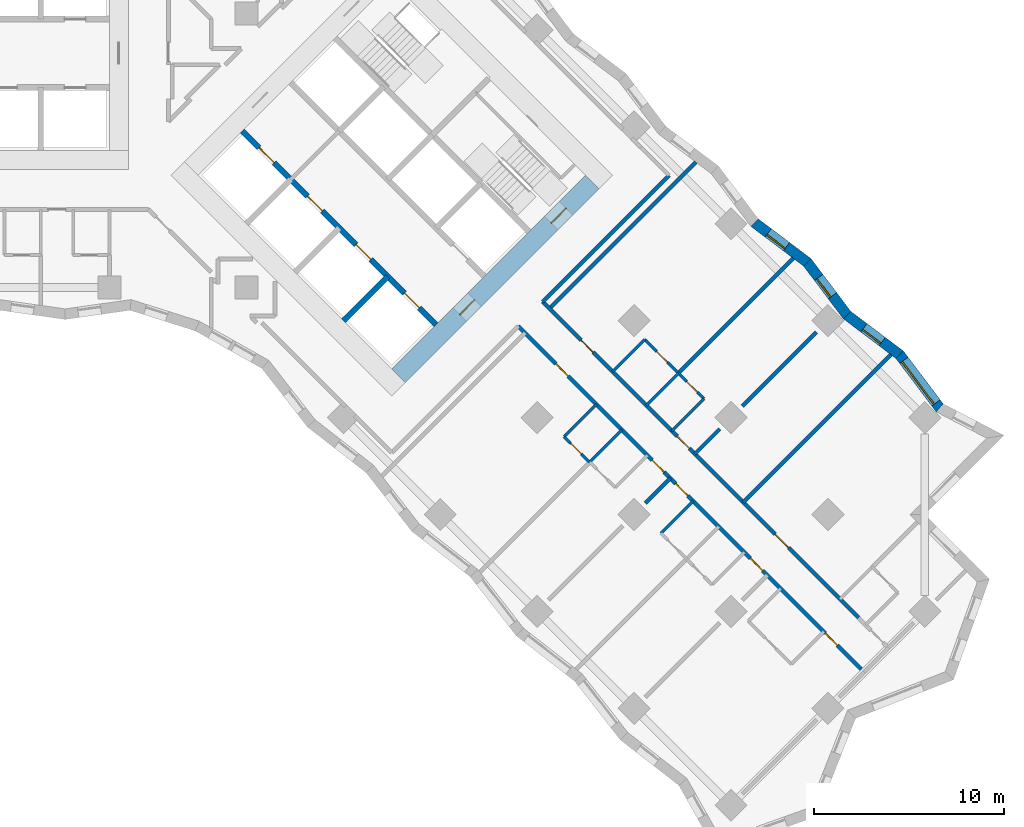
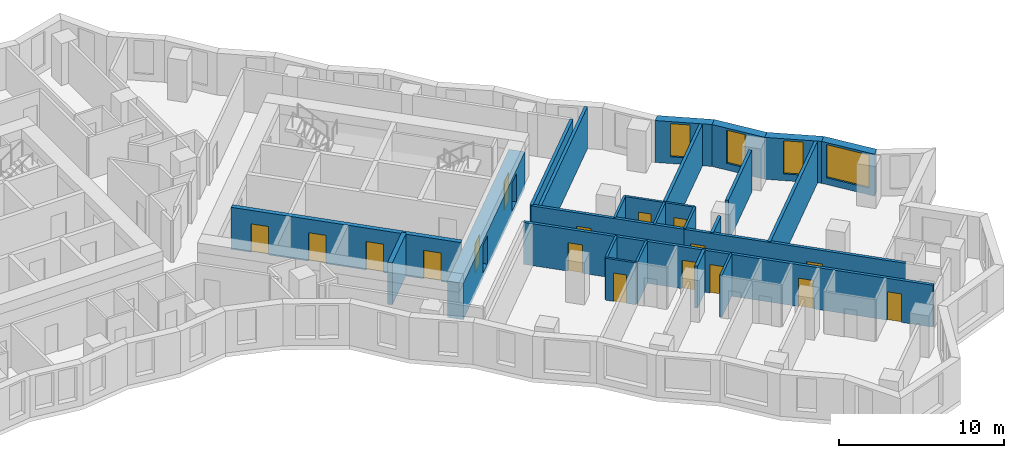
# One storey, part 8 of 12: 25 walls, 17 doors, 4 windows, 21 openings.
"""IFC4 building model written with IfcOpenShell, lengths in metres."""

from ifc_helpers import new_model, si_unit, direction, frame, frame_2d, origin, place, context, subcontext, project, spatial, polyline, rectangle, outline, extrude, material, layer, layer_set, type_object, element, fill, save


model = new_model("IFC4")

# Units and contexts
model_context = context("Model", 3, precision=1e-05, world=origin(), true_north=direction((0.0, 1.0)))
body_context = subcontext(model_context, "Body", "Model", "MODEL_VIEW")
ifc_project = project(units=[si_unit("LENGTHUNIT", "METRE"), si_unit("AREAUNIT", "SQUARE_METRE"), si_unit("VOLUMEUNIT", "CUBIC_METRE"), si_unit("PLANEANGLEUNIT", "RADIAN"), si_unit("MASSUNIT", "GRAM", prefix="KILO")], contexts=[model_context])

# Site, building, storey
site_placement = place(None, origin())
site = spatial("IfcSite", under=ifc_project, at=site_placement, CompositionType="ELEMENT")
building_placement = place(site_placement, origin())
building = spatial("IfcBuilding", under=site, at=building_placement, Name="Windrow Commons", CompositionType="ELEMENT")
storey_placement = place(building_placement, frame((0.0, 0.0, 47.4)))
storey = spatial("IfcBuildingStorey", under=building, at=storey_placement, Name="L12", CompositionType="ELEMENT", Elevation=47.4)

# Wall, opening, window
ifc_material_1 = material(Name="Brick masonry, red clay brick", Category="masonry")
ifc_layer_1 = layer(ifc_material_1, 0.55)
ifc_layer_set_1 = layer_set([ifc_layer_1], Name="Brick facade wall 550")
wall_type_1 = type_object("IfcWallType", Name="Brick facade wall 550", PredefinedType="SOLIDWALL", material=ifc_layer_set_1)
wall_1_placement = place(storey_placement, frame((115.6219, 36.8779, 0.0), z_axis=(0.0, 0.0, 1.0), x_axis=(-0.6019733381, 0.7985161866, 0.0)))
wall_1 = element("IfcWall", 1, at=wall_1_placement, inside=storey, type_object=wall_type_1, Name="Brick facade wall L12 8", PredefinedType="SOLIDWALL", context=body_context, shape_type="SweptSolid", body=[
    extrude(outline(polyline([(0.0622, -0.275), (3.5299, -0.275), (3.4527, 0.275), (-0.0622, 0.275), (0.0622, -0.275)])), origin(), (0.0, 0.0, 1.0), 3.1),
])
opening_1_placement = place(wall_1_placement, frame((0.3264, 0.0, 0.5)))
opening_1 = element("IfcOpeningElement", 2, at=opening_1_placement, cuts=wall_1, Name="Opening W1T", PredefinedType="OPENING", context=body_context, shape_type="SweptSolid", body=[
    extrude(rectangle(XDim=2.8, YDim=2.45, at=frame_2d((1.4, 1.225))), frame((0.0, 0.285, 0.0), z_axis=(0.0, -1.0, 0.0), x_axis=(1.0, 0.0, 0.0)), (0.0, 0.0, 1.0), 0.57),
])
ifc_material_2 = material(Name="Clear float glass in anodised aluminium frame", Category="aluminium")
window_type_1 = type_object("IfcWindowType", Name="Window W1T bedroom 2800x2450", PartitioningType="SINGLE_PANEL", PredefinedType="WINDOW", material=ifc_material_2)
window_1_placement = place(opening_1_placement, origin())
window_1 = element("IfcWindow", 3, at=window_1_placement, inside=storey, type_object=window_type_1, Name="Window L12 8.1", OverallHeight=2.45, OverallWidth=2.8, PartitioningType="SINGLE_PANEL", PredefinedType="WINDOW", context=body_context, shape_type="SweptSolid", body=[
    extrude(rectangle(XDim=2.8, YDim=2.45, at=frame_2d((1.4, 1.225))), frame((0.0, 0.155, 0.0), z_axis=(0.0, -1.0, 0.0), x_axis=(1.0, 0.0, 0.0)), (0.0, 0.0, 1.0), 0.06),
])
fill(opening_1, window_1)

wall_2_placement = place(storey_placement, frame((113.5202, 39.6658, 0.0), z_axis=(0.0, 0.0, 1.0), x_axis=(-0.7985233882, 0.601963785, 0.0)))
wall_2 = element("IfcWall", 4, at=wall_2_placement, inside=storey, type_object=wall_type_1, Name="Brick facade wall L12 9", PredefinedType="SOLIDWALL", context=body_context, shape_type="SweptSolid", body=[
    extrude(outline(polyline([(-0.0386, -0.275), (3.4291, -0.275), (3.5063, 0.275), (0.0386, 0.275), (-0.0386, -0.275)])), origin(), (0.0, 0.0, 1.0), 3.1),
])
opening_2_placement = place(wall_2_placement, frame((1.1532, 0.0, 0.5)))
opening_2 = element("IfcOpeningElement", 5, at=opening_2_placement, cuts=wall_2, Name="Opening W7D", PredefinedType="OPENING", context=body_context, shape_type="SweptSolid", body=[
    extrude(rectangle(XDim=1.2, YDim=2.45, at=frame_2d((0.6, 1.225))), frame((0.0, 0.285, 0.0), z_axis=(0.0, -1.0, 0.0), x_axis=(1.0, 0.0, 0.0)), (0.0, 0.0, 1.0), 0.57),
])
ifc_material_3 = material(Name="Clear float glass in anodised aluminium frame", Category="aluminium")
window_type_2 = type_object("IfcWindowType", Name="Window W7 notch 1200x2450", PartitioningType="SINGLE_PANEL", PredefinedType="WINDOW", material=ifc_material_3)
window_2_placement = place(opening_2_placement, origin())
window_2 = element("IfcWindow", 6, at=window_2_placement, inside=storey, type_object=window_type_2, Name="Window L12 9.1", OverallHeight=2.45, OverallWidth=1.2, PartitioningType="SINGLE_PANEL", PredefinedType="WINDOW", context=body_context, shape_type="SweptSolid", body=[
    extrude(rectangle(XDim=1.2, YDim=2.45, at=frame_2d((0.6, 1.225))), frame((0.0, 0.155, 0.0), z_axis=(0.0, -1.0, 0.0), x_axis=(1.0, 0.0, 0.0)), (0.0, 0.0, 1.0), 0.06),
])
fill(opening_2, window_2)

wall_3_placement = place(storey_placement, frame((110.7512, 41.7532, 0.0), z_axis=(0.0, 0.0, 1.0), x_axis=(-0.6019683111, 0.7985199762, 0.0)))
wall_3 = element("IfcWall", 7, at=wall_3_placement, inside=storey, type_object=wall_type_1, Name="Brick facade wall L12 10", PredefinedType="SOLIDWALL", context=body_context, shape_type="SweptSolid", body=[
    extrude(outline(polyline([(0.0386, -0.275), (3.5063, -0.275), (3.4291, 0.275), (-0.0386, 0.275), (0.0386, -0.275)])), origin(), (0.0, 0.0, 1.0), 3.1),
])
opening_3_placement = place(wall_3_placement, frame((1.2659, 0.0, 0.5)))
opening_3 = element("IfcOpeningElement", 8, at=opening_3_placement, cuts=wall_3, Name="Opening W7D", PredefinedType="OPENING", context=body_context, shape_type="SweptSolid", body=[
    extrude(rectangle(XDim=1.2, YDim=2.45, at=frame_2d((0.6, 1.225))), frame((0.0, 0.285, 0.0), z_axis=(0.0, -1.0, 0.0), x_axis=(1.0, 0.0, 0.0)), (0.0, 0.0, 1.0), 0.57),
])
window_3_placement = place(opening_3_placement, origin())
window_3 = element("IfcWindow", 9, at=window_3_placement, inside=storey, type_object=window_type_2, Name="Window L12 10.1", OverallHeight=2.45, OverallWidth=1.2, PartitioningType="SINGLE_PANEL", PredefinedType="WINDOW", context=body_context, shape_type="SweptSolid", body=[
    extrude(rectangle(XDim=1.2, YDim=2.45, at=frame_2d((0.6, 1.225))), frame((0.0, 0.155, 0.0), z_axis=(0.0, -1.0, 0.0), x_axis=(1.0, 0.0, 0.0)), (0.0, 0.0, 1.0), 0.06),
])
fill(opening_3, window_3)

wall_4_placement = place(storey_placement, frame((108.6637, 44.5223, 0.0), z_axis=(0.0, 0.0, 1.0), x_axis=(-0.7985338376, 0.6019499233, 0.0)))
wall_4 = element("IfcWall", 10, at=wall_4_placement, inside=storey, type_object=wall_type_1, Name="Brick facade wall L12 11", PredefinedType="SOLIDWALL", context=body_context, shape_type="SweptSolid", body=[
    extrude(outline(polyline([(-0.0386, -0.275), (3.4291, -0.275), (3.5063, 0.275), (0.0386, 0.275), (-0.0386, -0.275)])), origin(), (0.0, 0.0, 1.0), 3.1),
])
opening_4_placement = place(wall_4_placement, frame((1.369, 0.0, 0.5)))
opening_4 = element("IfcOpeningElement", 11, at=opening_4_placement, cuts=wall_4, Name="Opening W7D", PredefinedType="OPENING", context=body_context, shape_type="SweptSolid", body=[
    extrude(rectangle(XDim=1.2, YDim=2.45, at=frame_2d((0.6, 1.225))), frame((0.0, 0.285, 0.0), z_axis=(0.0, -1.0, 0.0), x_axis=(1.0, 0.0, 0.0)), (0.0, 0.0, 1.0), 0.57),
])
window_4_placement = place(opening_4_placement, origin())
window_4 = element("IfcWindow", 12, at=window_4_placement, inside=storey, type_object=window_type_2, Name="Window L12 11.1", OverallHeight=2.45, OverallWidth=1.2, PartitioningType="SINGLE_PANEL", PredefinedType="WINDOW", context=body_context, shape_type="SweptSolid", body=[
    extrude(rectangle(XDim=1.2, YDim=2.45, at=frame_2d((0.6, 1.225))), frame((0.0, 0.155, 0.0), z_axis=(0.0, -1.0, 0.0), x_axis=(1.0, 0.0, 0.0)), (0.0, 0.0, 1.0), 0.06),
])
fill(opening_4, window_4)

# Wall, openings, doors
ifc_material_4 = material(Name="Blockwork partition", Category="masonry")
ifc_layer_2 = layer(ifc_material_4, 0.2)
ifc_layer_set_2 = layer_set([ifc_layer_2], Name="IW-CORRIDOR-200")
wall_type_2 = type_object("IfcWallType", Name="IW-CORRIDOR-200", PredefinedType="PARTITIONING", material=ifc_layer_set_2)
wall_5_placement = place(storey_placement, frame((93.4806, 41.1666, 0.0), z_axis=(0.0, 0.0, 1.0), x_axis=(0.7071067812, -0.7071067812, 0.0)))
wall_5 = element("IfcWall", 13, at=wall_5_placement, inside=storey, type_object=wall_type_2, Name="W-L12-W000", PredefinedType="PARTITIONING", context=body_context, shape_type="SweptSolid", body=[
    extrude(rectangle(XDim=25.6991, YDim=0.2, at=frame_2d((12.8496, 0.0))), origin(), (0.0, 0.0, 1.0), 3.1),
])
opening_5_placement = place(wall_5_placement, frame((2.8001, 0.0, 0.0)))
opening_5 = element("IfcOpeningElement", 14, at=opening_5_placement, cuts=wall_5, Name="Opening D109F", PredefinedType="OPENING", context=body_context, shape_type="SweptSolid", body=[
    extrude(rectangle(XDim=0.9, YDim=2.1, at=frame_2d((0.45, 1.05))), frame((0.0, 0.11, 0.0), z_axis=(0.0, -1.0, 0.0), x_axis=(1.0, 0.0, 0.0)), (0.0, 0.0, 1.0), 0.22),
])
opening_6_placement = place(wall_5_placement, frame((9.948, 0.0, 0.0)))
opening_6 = element("IfcOpeningElement", 15, at=opening_6_placement, cuts=wall_5, Name="Opening D109S", PredefinedType="OPENING", context=body_context, shape_type="SweptSolid", body=[
    extrude(rectangle(XDim=0.9, YDim=2.1, at=frame_2d((0.45, 1.05))), frame((0.0, 0.11, 0.0), z_axis=(0.0, -1.0, 0.0), x_axis=(1.0, 0.0, 0.0)), (0.0, 0.0, 1.0), 0.22),
])
opening_7_placement = place(wall_5_placement, frame((11.6996, 0.0, 0.0)))
opening_7 = element("IfcOpeningElement", 16, at=opening_7_placement, cuts=wall_5, Name="Opening D109S", PredefinedType="OPENING", context=body_context, shape_type="SweptSolid", body=[
    extrude(rectangle(XDim=0.9, YDim=2.1, at=frame_2d((0.45, 1.05))), frame((0.0, 0.11, 0.0), z_axis=(0.0, -1.0, 0.0), x_axis=(1.0, 0.0, 0.0)), (0.0, 0.0, 1.0), 0.22),
])
opening_8_placement = place(wall_5_placement, frame((17.2496, 0.0, 0.0)))
opening_8 = element("IfcOpeningElement", 17, at=opening_8_placement, cuts=wall_5, Name="Opening D109S", PredefinedType="OPENING", context=body_context, shape_type="SweptSolid", body=[
    extrude(rectangle(XDim=0.9, YDim=2.1, at=frame_2d((0.45, 1.05))), frame((0.0, 0.11, 0.0), z_axis=(0.0, -1.0, 0.0), x_axis=(1.0, 0.0, 0.0)), (0.0, 0.0, 1.0), 0.22),
])
opening_9_placement = place(wall_5_placement, frame((22.8196, 0.0, 0.0)))
opening_9 = element("IfcOpeningElement", 18, at=opening_9_placement, cuts=wall_5, Name="Opening D109F", PredefinedType="OPENING", context=body_context, shape_type="SweptSolid", body=[
    extrude(rectangle(XDim=0.9, YDim=2.1, at=frame_2d((0.45, 1.05))), frame((0.0, 0.11, 0.0), z_axis=(0.0, -1.0, 0.0), x_axis=(1.0, 0.0, 0.0)), (0.0, 0.0, 1.0), 0.22),
])
ifc_material_5 = material(Name="Timber door leaf", Category="wood")
door_type_1 = type_object("IfcDoorType", Name="DT-BEDROOM-900", OperationType="SINGLE_SWING_LEFT", PredefinedType="DOOR", material=ifc_material_5)
door_1_placement = place(opening_5_placement, origin())
door_1 = element("IfcDoor", 19, at=door_1_placement, inside=storey, type_object=door_type_1, Name="D-L12-D038", OperationType="SINGLE_SWING_LEFT", OverallHeight=2.1, OverallWidth=0.9, PredefinedType="DOOR", context=body_context, shape_type="SweptSolid", body=[
    extrude(rectangle(XDim=0.9, YDim=2.1, at=frame_2d((0.45, 1.05))), frame((0.0, 0.025, 0.0), z_axis=(0.0, -1.0, 0.0), x_axis=(1.0, 0.0, 0.0)), (0.0, 0.0, 1.0), 0.05),
])
fill(opening_5, door_1)
door_2_placement = place(opening_6_placement, origin())
door_2 = element("IfcDoor", 20, at=door_2_placement, inside=storey, type_object=door_type_1, Name="D-L12-D040", OperationType="SINGLE_SWING_LEFT", OverallHeight=2.1, OverallWidth=0.9, PredefinedType="DOOR", context=body_context, shape_type="SweptSolid", body=[
    extrude(rectangle(XDim=0.9, YDim=2.1, at=frame_2d((0.45, 1.05))), frame((0.0, 0.025, 0.0), z_axis=(0.0, -1.0, 0.0), x_axis=(1.0, 0.0, 0.0)), (0.0, 0.0, 1.0), 0.05),
])
fill(opening_6, door_2)
door_3_placement = place(opening_7_placement, origin())
door_3 = element("IfcDoor", 21, at=door_3_placement, inside=storey, type_object=door_type_1, Name="D-L12-D042", OperationType="SINGLE_SWING_RIGHT", OverallHeight=2.1, OverallWidth=0.9, PredefinedType="DOOR", context=body_context, shape_type="SweptSolid", body=[
    extrude(rectangle(XDim=0.9, YDim=2.1, at=frame_2d((0.45, 1.05))), frame((0.0, 0.025, 0.0), z_axis=(0.0, -1.0, 0.0), x_axis=(1.0, 0.0, 0.0)), (0.0, 0.0, 1.0), 0.05),
])
fill(opening_7, door_3)
door_4_placement = place(opening_8_placement, origin())
door_4 = element("IfcDoor", 22, at=door_4_placement, inside=storey, type_object=door_type_1, Name="D-L12-D044", OperationType="SINGLE_SWING_LEFT", OverallHeight=2.1, OverallWidth=0.9, PredefinedType="DOOR", context=body_context, shape_type="SweptSolid", body=[
    extrude(rectangle(XDim=0.9, YDim=2.1, at=frame_2d((0.45, 1.05))), frame((0.0, 0.025, 0.0), z_axis=(0.0, -1.0, 0.0), x_axis=(1.0, 0.0, 0.0)), (0.0, 0.0, 1.0), 0.05),
])
fill(opening_8, door_4)
door_5_placement = place(opening_9_placement, origin())
door_5 = element("IfcDoor", 23, at=door_5_placement, inside=storey, type_object=door_type_1, Name="D-L12-D046", OperationType="SINGLE_SWING_RIGHT", OverallHeight=2.1, OverallWidth=0.9, PredefinedType="DOOR", context=body_context, shape_type="SweptSolid", body=[
    extrude(rectangle(XDim=0.9, YDim=2.1, at=frame_2d((0.45, 1.05))), frame((0.0, 0.025, 0.0), z_axis=(0.0, -1.0, 0.0), x_axis=(1.0, 0.0, 0.0)), (0.0, 0.0, 1.0), 0.05),
])
fill(opening_9, door_5)

wall_6_placement = place(storey_placement, frame((111.3515, 25.8555, 0.0), z_axis=(0.0, 0.0, 1.0), x_axis=(-0.7070418597, 0.7071716967, 0.0)))
wall_6 = element("IfcWall", 24, at=wall_6_placement, inside=storey, type_object=wall_type_2, Name="W-L12-W005", PredefinedType="PARTITIONING", context=body_context, shape_type="SweptSolid", body=[
    extrude(rectangle(XDim=13.8635, YDim=0.2, at=frame_2d((6.9318, 0.0))), origin(), (0.0, 0.0, 1.0), 3.1),
])
opening_10_placement = place(wall_6_placement, frame((12.5636, 0.0, 0.0)))
opening_10 = element("IfcOpeningElement", 25, at=opening_10_placement, cuts=wall_6, Name="Opening D109S", PredefinedType="OPENING", context=body_context, shape_type="SweptSolid", body=[
    extrude(rectangle(XDim=0.9, YDim=2.1, at=frame_2d((0.45, 1.05))), frame((0.0, 0.11, 0.0), z_axis=(0.0, -1.0, 0.0), x_axis=(1.0, 0.0, 0.0)), (0.0, 0.0, 1.0), 0.22),
])
opening_11_placement = place(wall_6_placement, frame((5.1899, 0.0, 0.0)))
opening_11 = element("IfcOpeningElement", 26, at=opening_11_placement, cuts=wall_6, Name="Opening D310F", PredefinedType="OPENING", context=body_context, shape_type="SweptSolid", body=[
    extrude(rectangle(XDim=1.0, YDim=2.1, at=frame_2d((0.5, 1.05))), frame((0.0, 0.11, 0.0), z_axis=(0.0, -1.0, 0.0), x_axis=(1.0, 0.0, 0.0)), (0.0, 0.0, 1.0), 0.22),
])
ifc_material_6 = material(Name="Timber door leaf", Category="wood")
door_type_2 = type_object("IfcDoorType", Name="DT-AMENITY-1000", OperationType="SINGLE_SWING_LEFT", PredefinedType="DOOR", material=ifc_material_6)
door_6_placement = place(opening_11_placement, origin())
door_6 = element("IfcDoor", 27, at=door_6_placement, inside=storey, type_object=door_type_2, Name="D-L12-D037", OperationType="SINGLE_SWING_RIGHT", OverallHeight=2.1, OverallWidth=1.0, PredefinedType="DOOR", context=body_context, shape_type="SweptSolid", body=[
    extrude(rectangle(XDim=1.0, YDim=2.1, at=frame_2d((0.5, 1.05))), frame((0.0, 0.025, 0.0), z_axis=(0.0, -1.0, 0.0), x_axis=(1.0, 0.0, 0.0)), (0.0, 0.0, 1.0), 0.05),
])
fill(opening_11, door_6)
door_7_placement = place(opening_10_placement, origin())
door_7 = element("IfcDoor", 28, at=door_7_placement, inside=storey, type_object=door_type_1, Name="D-L12-D035", OperationType="SINGLE_SWING_RIGHT", OverallHeight=2.1, OverallWidth=0.9, PredefinedType="DOOR", context=body_context, shape_type="SweptSolid", body=[
    extrude(rectangle(XDim=0.9, YDim=2.1, at=frame_2d((0.45, 1.05))), frame((0.0, 0.025, 0.0), z_axis=(0.0, -1.0, 0.0), x_axis=(1.0, 0.0, 0.0)), (0.0, 0.0, 1.0), 0.05),
])
fill(opening_10, door_7)

# Wall, opening, door
wall_7_placement = place(storey_placement, frame((94.7615, 42.4455, 0.0), z_axis=(0.0, 0.0, 1.0), x_axis=(0.7071067812, -0.7071067812, 0.0)))
wall_7 = element("IfcWall", 29, at=wall_7_placement, inside=storey, type_object=wall_type_2, Name="W-L12-W012", PredefinedType="PARTITIONING", context=body_context, shape_type="SweptSolid", body=[
    extrude(rectangle(XDim=9.5969, YDim=0.2, at=frame_2d((4.7984, 0.0))), origin(), (0.0, 0.0, 1.0), 3.1),
])
opening_12_placement = place(wall_7_placement, frame((2.8511, 0.0, 0.0)))
opening_12 = element("IfcOpeningElement", 30, at=opening_12_placement, cuts=wall_7, Name="Opening D109F", PredefinedType="OPENING", context=body_context, shape_type="SweptSolid", body=[
    extrude(rectangle(XDim=0.9, YDim=2.1, at=frame_2d((0.45, 1.05))), frame((0.0, 0.11, 0.0), z_axis=(0.0, -1.0, 0.0), x_axis=(1.0, 0.0, 0.0)), (0.0, 0.0, 1.0), 0.22),
])
door_8_placement = place(opening_12_placement, origin())
door_8 = element("IfcDoor", 31, at=door_8_placement, inside=storey, type_object=door_type_1, Name="D-L12-D033", OperationType="SINGLE_SWING_RIGHT", OverallHeight=2.1, OverallWidth=0.9, PredefinedType="DOOR", context=body_context, shape_type="SweptSolid", body=[
    extrude(rectangle(XDim=0.9, YDim=2.1, at=frame_2d((0.45, 1.05))), frame((0.0, 0.025, 0.0), z_axis=(0.0, -1.0, 0.0), x_axis=(1.0, 0.0, 0.0)), (0.0, 0.0, 1.0), 0.05),
])
fill(opening_12, door_8)

# Wall
wall_8_placement = place(storey_placement, frame((94.7569, 42.4451, 0.0), z_axis=(0.0, 0.0, 1.0), x_axis=(0.7071067812, 0.7071067812, 0.0)))
element("IfcWall", 32, at=wall_8_placement, inside=storey, type_object=wall_type_2, Name="W-L12-W014", PredefinedType="PARTITIONING", context=body_context, shape_type="SweptSolid", body=[
    extrude(rectangle(XDim=9.3989, YDim=0.2, at=frame_2d((4.6994, 0.0))), origin(), (0.0, 0.0, 1.0), 3.1),
])

# Wall, openings, doors
ifc_material_7 = material(Name="Blockwork partition", Category="masonry")
ifc_layer_3 = layer(ifc_material_7, 0.15)
ifc_layer_set_3 = layer_set([ifc_layer_3], Name="IW-ENSUITE-150")
wall_type_3 = type_object("IfcWallType", Name="IW-ENSUITE-150", PredefinedType="PARTITIONING", material=ifc_layer_set_3)
wall_9_placement = place(storey_placement, frame((100.1265, 40.4605, 0.0), z_axis=(0.0, 0.0, 1.0), x_axis=(0.7071067812, -0.7071067812, 0.0)))
wall_9 = element("IfcWall", 33, at=wall_9_placement, inside=storey, type_object=wall_type_3, Name="W-L12-W045", PredefinedType="PARTITIONING", context=body_context, shape_type="SweptSolid", body=[
    extrude(rectangle(XDim=4.401, YDim=0.15, at=frame_2d((2.2005, 0.0))), origin(), (0.0, 0.0, 1.0), 3.1),
])
opening_13_placement = place(wall_9_placement, frame((0.883, 0.0, 0.0)))
opening_13 = element("IfcOpeningElement", 34, at=opening_13_placement, cuts=wall_9, Name="Opening D208N", PredefinedType="OPENING", context=body_context, shape_type="SweptSolid", body=[
    extrude(rectangle(XDim=0.8, YDim=2.1, at=frame_2d((0.4, 1.05))), frame((0.0, 0.085, 0.0), z_axis=(0.0, -1.0, 0.0), x_axis=(1.0, 0.0, 0.0)), (0.0, 0.0, 1.0), 0.17),
])
opening_14_placement = place(wall_9_placement, frame((3.1078, 0.0, 0.0)))
opening_14 = element("IfcOpeningElement", 35, at=opening_14_placement, cuts=wall_9, Name="Opening D208N", PredefinedType="OPENING", context=body_context, shape_type="SweptSolid", body=[
    extrude(rectangle(XDim=0.8, YDim=2.1, at=frame_2d((0.4, 1.05))), frame((0.0, 0.085, 0.0), z_axis=(0.0, -1.0, 0.0), x_axis=(1.0, 0.0, 0.0)), (0.0, 0.0, 1.0), 0.17),
])
ifc_material_8 = material(Name="Timber door leaf", Category="wood")
door_type_3 = type_object("IfcDoorType", Name="DT-ENSUITE-800", OperationType="SINGLE_SWING_LEFT", PredefinedType="DOOR", material=ifc_material_8)
door_9_placement = place(opening_13_placement, origin())
door_9 = element("IfcDoor", 36, at=door_9_placement, inside=storey, type_object=door_type_3, Name="D-L12-D034", OperationType="SINGLE_SWING_RIGHT", OverallHeight=2.1, OverallWidth=0.8, PredefinedType="DOOR", context=body_context, shape_type="SweptSolid", body=[
    extrude(rectangle(XDim=0.8, YDim=2.1, at=frame_2d((0.4, 1.05))), frame((0.0, 0.025, 0.0), z_axis=(0.0, -1.0, 0.0), x_axis=(1.0, 0.0, 0.0)), (0.0, 0.0, 1.0), 0.05),
])
fill(opening_13, door_9)
door_10_placement = place(opening_14_placement, origin())
door_10 = element("IfcDoor", 37, at=door_10_placement, inside=storey, type_object=door_type_3, Name="D-L12-D036", OperationType="SINGLE_SWING_RIGHT", OverallHeight=2.1, OverallWidth=0.8, PredefinedType="DOOR", context=body_context, shape_type="SweptSolid", body=[
    extrude(rectangle(XDim=0.8, YDim=2.1, at=frame_2d((0.4, 1.05))), frame((0.0, 0.025, 0.0), z_axis=(0.0, -1.0, 0.0), x_axis=(1.0, 0.0, 0.0)), (0.0, 0.0, 1.0), 0.05),
])
fill(opening_14, door_10)

# Walls
wall_10_placement = place(storey_placement, frame((100.9773, 30.2807, 0.0), z_axis=(0.0, 0.0, 1.0), x_axis=(0.7071067812, 0.7071067812, 0.0)))
element("IfcWall", 38, at=wall_10_placement, inside=storey, type_object=wall_type_3, Name="W-L12-W065", PredefinedType="PARTITIONING", context=body_context, shape_type="SweptSolid", body=[
    extrude(rectangle(XDim=2.4013, YDim=0.15, at=frame_2d((1.2006, 0.0))), origin(), (0.0, 0.0, 1.0), 3.1),
])
for number, where, z_axis, x_axis, name in (
    (39, (97.2344, 34.0256, 0.0), (0.0, 0.0, 1.0), (0.706689978, 0.7075233388, 0.0), "W-L12-W085"),
    (40, (98.4348, 38.7652, 0.0), (0.0, 0.0, 1.0), (0.706689978, 0.7075233388, 0.0), "W-L12-W086"),
    (41, (100.2026, 36.9974, 0.0), (0.0, 0.0, 1.0), (0.706689978, 0.7075233388, 0.0), "W-L12-W087"),
):
    element("IfcWall", number, at=place(storey_placement, frame(where, z_axis=z_axis, x_axis=x_axis)), inside=storey, type_object=wall_type_3, Name=name, PredefinedType="PARTITIONING", context=body_context, shape_type="SweptSolid", body=[
        extrude(rectangle(XDim=2.3999, YDim=0.15, at=frame_2d((1.2, 0.0))), origin(), (0.0, 0.0, 1.0), 3.1),
    ])
for number, where, z_axis, x_axis, name in (
    (42, (95.8871, 35.3729, 0.0), (0.0, 0.0, 1.0), (0.7071067812, 0.7071067812, 0.0), "W-L12-W089"),
    (43, (101.5451, 35.6569, 0.0), (0.0, 0.0, 1.0), (0.7071067812, 0.7071067812, 0.0), "W-L12-W090"),
):
    element("IfcWall", number, at=place(storey_placement, frame(where, z_axis=z_axis, x_axis=x_axis)), inside=storey, type_object=wall_type_3, Name=name, PredefinedType="PARTITIONING", context=body_context, shape_type="SweptSolid", body=[
        extrude(rectangle(XDim=2.3985, YDim=0.15, at=frame_2d((1.1992, 0.0))), origin(), (0.0, 0.0, 1.0), 3.1),
    ])

# Wall, opening, door
wall_11_placement = place(storey_placement, frame((95.8846, 35.3686, 0.0), z_axis=(0.0, 0.0, 1.0), x_axis=(0.7071067812, -0.7071067812, 0.0)))
wall_11 = element("IfcWall", 44, at=wall_11_placement, inside=storey, type_object=wall_type_3, Name="W-L12-W107", PredefinedType="PARTITIONING", context=body_context, shape_type="SweptSolid", body=[
    extrude(rectangle(XDim=1.9007, YDim=0.15, at=frame_2d((0.9504, 0.0))), origin(), (0.0, 0.0, 1.0), 3.1),
])
opening_15_placement = place(wall_11_placement, frame((0.493, 0.0, 0.0)))
opening_15 = element("IfcOpeningElement", 45, at=opening_15_placement, cuts=wall_11, Name="Opening D208N", PredefinedType="OPENING", context=body_context, shape_type="SweptSolid", body=[
    extrude(rectangle(XDim=0.8, YDim=2.1, at=frame_2d((0.4, 1.05))), frame((0.0, 0.085, 0.0), z_axis=(0.0, -1.0, 0.0), x_axis=(1.0, 0.0, 0.0)), (0.0, 0.0, 1.0), 0.17),
])
door_11_placement = place(opening_15_placement, origin())
door_11 = element("IfcDoor", 46, at=door_11_placement, inside=storey, type_object=door_type_3, Name="D-L12-D039", OperationType="SINGLE_SWING_RIGHT", OverallHeight=2.1, OverallWidth=0.8, PredefinedType="DOOR", context=body_context, shape_type="SweptSolid", body=[
    extrude(rectangle(XDim=0.8, YDim=2.1, at=frame_2d((0.4, 1.05))), frame((0.0, 0.025, 0.0), z_axis=(0.0, -1.0, 0.0), x_axis=(1.0, 0.0, 0.0)), (0.0, 0.0, 1.0), 0.05),
])
fill(opening_15, door_11)

# Walls
ifc_material_9 = material(Name="Blockwork partition", Category="masonry")
ifc_layer_4 = layer(ifc_material_9, 0.2)
ifc_layer_set_4 = layer_set([ifc_layer_4], Name="IW-PARTY-200")
wall_type_4 = type_object("IfcWallType", Name="IW-PARTY-200", PredefinedType="PARTITIONING", material=ifc_layer_set_4)
wall_12_placement = place(storey_placement, frame((105.2918, 31.9082, 0.0), z_axis=(0.0, 0.0, 1.0), x_axis=(0.7071067812, 0.7071067812, 0.0)))
element("IfcWall", 47, at=wall_12_placement, inside=storey, type_object=wall_type_4, Name="W-L12-W007", PredefinedType="PARTITIONING", context=body_context, shape_type="SweptSolid", body=[
    extrude(rectangle(XDim=10.9794, YDim=0.2, at=frame_2d((5.4897, 0.0))), origin(), (0.0, 0.0, 1.0), 3.1),
])
wall_13_placement = place(storey_placement, frame((95.1094, 42.0906, 0.0), z_axis=(0.0, 0.0, 1.0), x_axis=(0.7071113741, 0.7071021882, 0.0)))
element("IfcWall", 48, at=wall_13_placement, inside=storey, type_object=wall_type_4, Name="W-L12-W008", PredefinedType="PARTITIONING", context=body_context, shape_type="SweptSolid", body=[
    extrude(rectangle(XDim=10.8863, YDim=0.2, at=frame_2d((5.4432, 0.0))), origin(), (0.0, 0.0, 1.0), 3.1),
])
wall_14_placement = place(storey_placement, frame((101.8958, 38.6982, 0.0), z_axis=(0.0, 0.0, 1.0), x_axis=(0.7072298261, 0.7069837149, 0.0)))
element("IfcWall", 49, at=wall_14_placement, inside=storey, type_object=wall_type_4, Name="W-L12-W015", PredefinedType="PARTITIONING", context=body_context, shape_type="SweptSolid", body=[
    extrude(rectangle(XDim=8.5327, YDim=0.2, at=frame_2d((4.2664, 0.0))), origin(), (0.0, 0.0, 1.0), 3.1),
])
wall_15_placement = place(storey_placement, frame((105.2552, 36.9628, 0.0), z_axis=(0.0, 0.0, 1.0), x_axis=(0.7071067812, 0.7071067812, 0.0)))
element("IfcWall", 50, at=wall_15_placement, inside=storey, type_object=wall_type_4, Name="W-L12-W037", PredefinedType="PARTITIONING", context=body_context, shape_type="SweptSolid", body=[
    extrude(rectangle(XDim=5.5041, YDim=0.2, at=frame_2d((2.7521, 0.0))), origin(), (0.0, 0.0, 1.0), 3.1),
])
wall_16_placement = place(storey_placement, frame((100.1632, 31.8708, 0.0), z_axis=(0.0, 0.0, 1.0), x_axis=(0.7071067812, 0.7071067812, 0.0)))
element("IfcWall", 51, at=wall_16_placement, inside=storey, type_object=wall_type_4, Name="W-L12-W121", PredefinedType="PARTITIONING", context=body_context, shape_type="SweptSolid", body=[
    extrude(rectangle(XDim=1.8526, YDim=0.2, at=frame_2d((0.9263, 0.0))), origin(), (0.0, 0.0, 1.0), 3.1),
])
wall_17_placement = place(storey_placement, frame((102.7504, 34.4496, 0.0), z_axis=(0.0, 0.0, 1.0), x_axis=(0.7065663865, 0.7076467632, 0.0)))
element("IfcWall", 52, at=wall_17_placement, inside=storey, type_object=wall_type_4, Name="W-L12-W124", PredefinedType="PARTITIONING", context=body_context, shape_type="SweptSolid", body=[
    extrude(rectangle(XDim=1.8512, YDim=0.2, at=frame_2d((0.9256, 0.0))), origin(), (0.0, 0.0, 1.0), 3.1),
])

# Wall, openings, doors
ifc_material_10 = material(Name="Concrete C60/75", Category="concrete")
ifc_layer_5 = layer(ifc_material_10, 1.0)
ifc_layer_set_5 = layer_set([ifc_layer_5], Name="RC CORE WALL 1000 C60/75")
wall_type_5 = type_object("IfcWallType", Name="RC CORE WALL 1000 C60/75", PredefinedType="SHEAR", material=ifc_layer_set_5)
wall_18_placement = place(storey_placement, frame((87.1903, 38.5538, -0.3), z_axis=(0.0, 0.0, 1.0), x_axis=(0.707103309, 0.7071102534, 0.0)))
wall_18 = element("IfcWall", 53, at=wall_18_placement, inside=storey, type_object=wall_type_5, Name="Core B wall outer-E", PredefinedType="SHEAR", context=body_context, shape_type="SweptSolid", body=[
    extrude(rectangle(XDim=14.4, YDim=1.0, at=frame_2d((7.2, 0.0))), origin(), (0.0, 0.0, 1.0), 2.7),
])
opening_16_placement = place(wall_18_placement, frame((4.55, 0.0, 0.3)))
opening_16 = element("IfcOpeningElement", 54, at=opening_16_placement, cuts=wall_18, Name="Opening D6", PredefinedType="OPENING", context=body_context, shape_type="SweptSolid", body=[
    extrude(rectangle(XDim=1.1, YDim=2.1, at=frame_2d((0.55, 1.05))), frame((0.0, 0.51, 0.0), z_axis=(0.0, -1.0, 0.0), x_axis=(1.0, 0.0, 0.0)), (0.0, 0.0, 1.0), 1.02),
])
opening_17_placement = place(wall_18_placement, frame((11.35, 0.0, 0.3)))
opening_17 = element("IfcOpeningElement", 55, at=opening_17_placement, cuts=wall_18, Name="Opening D7", PredefinedType="OPENING", context=body_context, shape_type="SweptSolid", body=[
    extrude(rectangle(XDim=1.1, YDim=2.1, at=frame_2d((0.55, 1.05))), frame((0.0, 0.51, 0.0), z_axis=(0.0, -1.0, 0.0), x_axis=(1.0, 0.0, 0.0)), (0.0, 0.0, 1.0), 1.02),
])
ifc_material_11 = material(Name="Steel fire door leaf", Category="steel")
door_type_4 = type_object("IfcDoorType", Name="Core lobby door 1100", OperationType="SINGLE_SWING_LEFT", PredefinedType="DOOR", material=ifc_material_11)
door_12_placement = place(opening_16_placement, origin())
door_12 = element("IfcDoor", 56, at=door_12_placement, inside=storey, type_object=door_type_4, Name="Lift lobby door", OperationType="DOUBLE_DOOR_SINGLE_SWING", OverallHeight=2.1, OverallWidth=1.1, PredefinedType="DOOR", context=body_context, shape_type="SweptSolid", body=[
    extrude(rectangle(XDim=1.1, YDim=2.1, at=frame_2d((0.55, 1.05))), frame((0.0, 0.025, 0.0), z_axis=(0.0, -1.0, 0.0), x_axis=(1.0, 0.0, 0.0)), (0.0, 0.0, 1.0), 0.05),
])
fill(opening_16, door_12)
ifc_material_12 = material(Name="Steel fire door leaf", Category="steel")
door_type_5 = type_object("IfcDoorType", Name="Stair door 1100", OperationType="SINGLE_SWING_LEFT", PredefinedType="DOOR", material=ifc_material_12)
door_13_placement = place(opening_17_placement, origin())
door_13 = element("IfcDoor", 57, at=door_13_placement, inside=storey, type_object=door_type_5, Name="Stair door", OperationType="SINGLE_SWING_RIGHT", OverallHeight=2.1, OverallWidth=1.1, PredefinedType="DOOR", context=body_context, shape_type="SweptSolid", body=[
    extrude(rectangle(XDim=1.1, YDim=2.1, at=frame_2d((0.55, 1.05))), frame((0.0, 0.025, 0.0), z_axis=(0.0, -1.0, 0.0), x_axis=(1.0, 0.0, 0.0)), (0.0, 0.0, 1.0), 0.05),
])
fill(opening_17, door_13)

# Wall
ifc_material_13 = material(Name="Concrete C60/75", Category="concrete")
ifc_layer_6 = layer(ifc_material_13, 0.3)
ifc_layer_set_6 = layer_set([ifc_layer_6], Name="RC SHAFT WALL 300 C60/75")
wall_type_6 = type_object("IfcWallType", Name="RC SHAFT WALL 300 C60/75", PredefinedType="SOLIDWALL", material=ifc_layer_set_6)
wall_19_placement = place(storey_placement, frame((84.2912, 41.453, 0.0), z_axis=(0.0, 0.0, 1.0), x_axis=(0.7071067812, 0.7071067812, 0.0)))
element("IfcWall", 58, at=wall_19_placement, inside=storey, type_object=wall_type_6, Name="Core B wall shaft-S3", PredefinedType="SOLIDWALL", context=body_context, shape_type="SweptSolid", body=[
    extrude(rectangle(XDim=3.2999, YDim=0.3, at=frame_2d((1.65, 0.0))), origin(), (0.0, 0.0, 1.0), 3.1),
])

# Wall, openings, doors
wall_20_placement = place(storey_placement, frame((78.9879, 51.4232, 0.0), z_axis=(0.0, 0.0, 1.0), x_axis=(0.7071067812, -0.7071067812, 0.0)))
wall_20 = element("IfcWall", 59, at=wall_20_placement, inside=storey, type_object=wall_type_6, Name="Core B wall lobby-S", PredefinedType="SOLIDWALL", context=body_context, shape_type="SweptSolid", body=[
    extrude(rectangle(XDim=14.3999, YDim=0.3, at=frame_2d((7.2, 0.0))), origin(), (0.0, 0.0, 1.0), 3.1),
])
opening_18_placement = place(wall_20_placement, frame((1.25, 0.0, 0.0)))
opening_18 = element("IfcOpeningElement", 60, at=opening_18_placement, cuts=wall_20, Name="Opening LD", PredefinedType="OPENING", context=body_context, shape_type="SweptSolid", body=[
    extrude(rectangle(XDim=1.1, YDim=2.1, at=frame_2d((0.55, 1.05))), frame((0.0, 0.16, 0.0), z_axis=(0.0, -1.0, 0.0), x_axis=(1.0, 0.0, 0.0)), (0.0, 0.0, 1.0), 0.32),
])
opening_19_placement = place(wall_20_placement, frame((4.85, 0.0, 0.0)))
opening_19 = element("IfcOpeningElement", 61, at=opening_19_placement, cuts=wall_20, Name="Opening LD", PredefinedType="OPENING", context=body_context, shape_type="SweptSolid", body=[
    extrude(rectangle(XDim=1.1, YDim=2.1, at=frame_2d((0.55, 1.05))), frame((0.0, 0.16, 0.0), z_axis=(0.0, -1.0, 0.0), x_axis=(1.0, 0.0, 0.0)), (0.0, 0.0, 1.0), 0.32),
])
opening_20_placement = place(wall_20_placement, frame((8.45, 0.0, 0.0)))
opening_20 = element("IfcOpeningElement", 62, at=opening_20_placement, cuts=wall_20, Name="Opening LD", PredefinedType="OPENING", context=body_context, shape_type="SweptSolid", body=[
    extrude(rectangle(XDim=1.1, YDim=2.1, at=frame_2d((0.55, 1.05))), frame((0.0, 0.16, 0.0), z_axis=(0.0, -1.0, 0.0), x_axis=(1.0, 0.0, 0.0)), (0.0, 0.0, 1.0), 0.32),
])
opening_21_placement = place(wall_20_placement, frame((12.05, 0.0, 0.0)))
opening_21 = element("IfcOpeningElement", 63, at=opening_21_placement, cuts=wall_20, Name="Opening LD", PredefinedType="OPENING", context=body_context, shape_type="SweptSolid", body=[
    extrude(rectangle(XDim=1.1, YDim=2.1, at=frame_2d((0.55, 1.05))), frame((0.0, 0.16, 0.0), z_axis=(0.0, -1.0, 0.0), x_axis=(1.0, 0.0, 0.0)), (0.0, 0.0, 1.0), 0.32),
])
ifc_material_14 = material(Name="Stainless steel door leaf", Category="steel")
door_type_6 = type_object("IfcDoorType", Name="Lift landing door 1100", OperationType="SLIDING_TO_LEFT", PredefinedType="DOOR", material=ifc_material_14)
door_14_placement = place(opening_18_placement, origin())
door_14 = element("IfcDoor", 64, at=door_14_placement, inside=storey, type_object=door_type_6, Name="Lift landing door", OperationType="SLIDING_TO_LEFT", OverallHeight=2.1, OverallWidth=1.1, PredefinedType="DOOR", context=body_context, shape_type="SweptSolid", body=[
    extrude(rectangle(XDim=1.1, YDim=2.1, at=frame_2d((0.55, 1.05))), frame((0.0, 0.025, 0.0), z_axis=(0.0, -1.0, 0.0), x_axis=(1.0, 0.0, 0.0)), (0.0, 0.0, 1.0), 0.05),
])
fill(opening_18, door_14)
door_15_placement = place(opening_19_placement, origin())
door_15 = element("IfcDoor", 65, at=door_15_placement, inside=storey, type_object=door_type_6, Name="Lift landing door", OperationType="SLIDING_TO_RIGHT", OverallHeight=2.1, OverallWidth=1.1, PredefinedType="DOOR", context=body_context, shape_type="SweptSolid", body=[
    extrude(rectangle(XDim=1.1, YDim=2.1, at=frame_2d((0.55, 1.05))), frame((0.0, 0.025, 0.0), z_axis=(0.0, -1.0, 0.0), x_axis=(1.0, 0.0, 0.0)), (0.0, 0.0, 1.0), 0.05),
])
fill(opening_19, door_15)
door_16_placement = place(opening_20_placement, origin())
door_16 = element("IfcDoor", 66, at=door_16_placement, inside=storey, type_object=door_type_6, Name="Lift landing door", OperationType="SLIDING_TO_LEFT", OverallHeight=2.1, OverallWidth=1.1, PredefinedType="DOOR", context=body_context, shape_type="SweptSolid", body=[
    extrude(rectangle(XDim=1.1, YDim=2.1, at=frame_2d((0.55, 1.05))), frame((0.0, 0.025, 0.0), z_axis=(0.0, -1.0, 0.0), x_axis=(1.0, 0.0, 0.0)), (0.0, 0.0, 1.0), 0.05),
])
fill(opening_20, door_16)
door_17_placement = place(opening_21_placement, origin())
door_17 = element("IfcDoor", 67, at=door_17_placement, inside=storey, type_object=door_type_6, Name="Lift landing door", OperationType="SLIDING_TO_RIGHT", OverallHeight=2.1, OverallWidth=1.1, PredefinedType="DOOR", context=body_context, shape_type="SweptSolid", body=[
    extrude(rectangle(XDim=1.1, YDim=2.1, at=frame_2d((0.55, 1.05))), frame((0.0, 0.025, 0.0), z_axis=(0.0, -1.0, 0.0), x_axis=(1.0, 0.0, 0.0)), (0.0, 0.0, 1.0), 0.05),
])
fill(opening_21, door_17)

save(model, "model.ifc")
